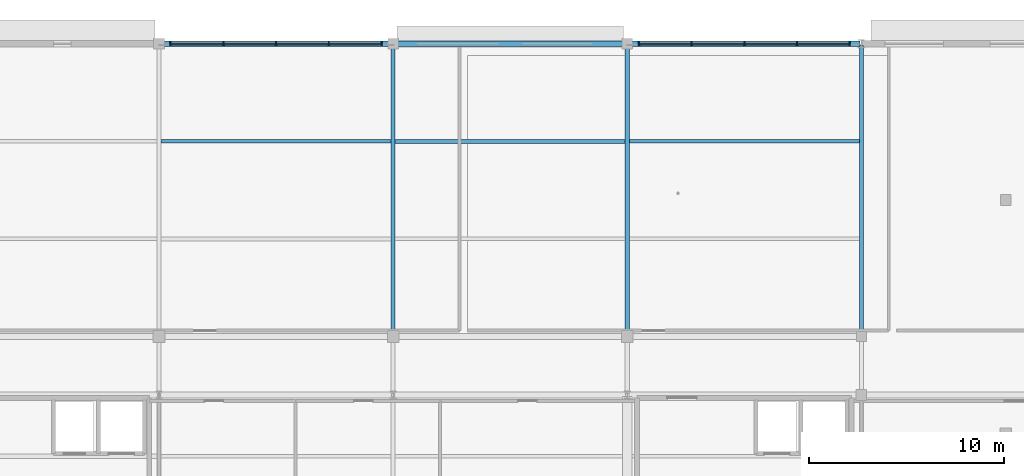
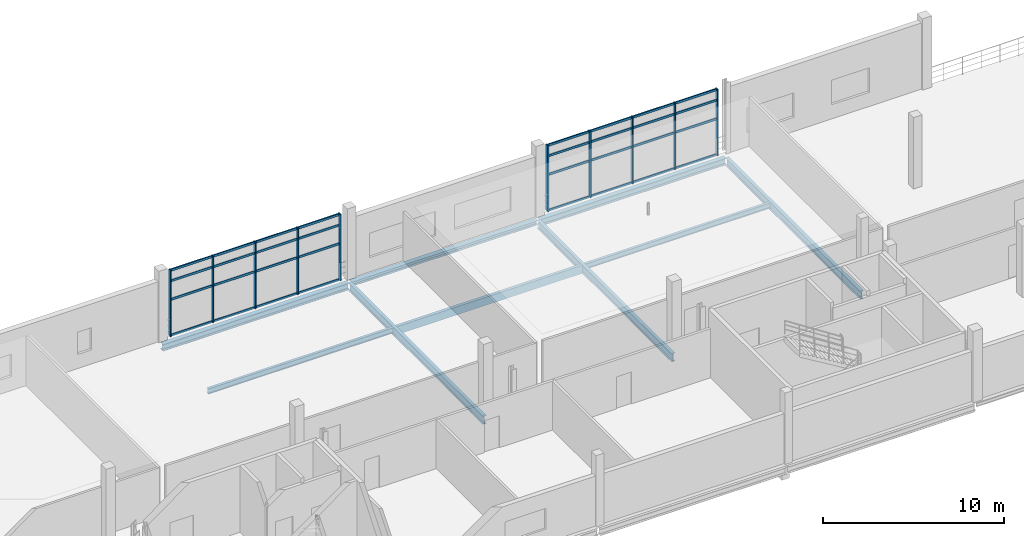
# One storey, part 27 of 52: 42 members, 9 beams, 2 elements without a shape of their own.
"""IFC4 building model written with IfcOpenShell, lengths in metres."""

from ifc_helpers import new_model, si_unit, direction, frame, origin, origin_2d, place, context, subcontext, project, spatial, rectangle, i_section, extrude, material, material_profile, profile_set, type_object, element, aggregate, save


model = new_model("IFC4")

# Units and contexts
model_context = context("Model", 3, precision=1e-05, world=origin(), true_north=direction((0.0, 1.0)))
body_context = subcontext(model_context, "Body", "Model", "MODEL_VIEW")
ifc_project = project(units=[si_unit("LENGTHUNIT", "METRE"), si_unit("AREAUNIT", "SQUARE_METRE"), si_unit("VOLUMEUNIT", "CUBIC_METRE"), si_unit("PLANEANGLEUNIT", "RADIAN"), si_unit("MASSUNIT", "GRAM", prefix="KILO"), si_unit("THERMODYNAMICTEMPERATUREUNIT", "KELVIN"), si_unit("POWERUNIT", "WATT")], contexts=[model_context])

# Site, building, storey
site_placement = place(None, origin())
site = spatial("IfcSite", under=ifc_project, at=site_placement, CompositionType="ELEMENT")
building_placement = place(site_placement, origin())
building = spatial("IfcBuilding", under=site, at=building_placement, Name="Solmara Park Aquatics Centre", CompositionType="ELEMENT")
storey_placement = place(building_placement, frame((0.0, 0.0, 9.60009765625)))
storey = spatial("IfcBuildingStorey", under=building, at=storey_placement, Name="L02", CompositionType="ELEMENT", Elevation=9.60009765625)

# Curtain wall, members
ifc_material_1 = material(Name="Anodised Aluminium Curtain Wall Framing", Category="aluminium")
curtain_wall_type = type_object("IfcCurtainWallType", Name="ARC-CW-SYS04", PredefinedType="USERDEFINED", material=ifc_material_1)
curtain_wall_1_placement = place(storey_placement, origin())
curtain_wall_1 = element("IfcCurtainWall", 1, at=curtain_wall_1_placement, inside=storey, type_object=curtain_wall_type, Name="Curtain Wall CW-125", ObjectType="CURTAIN WALL", PredefinedType="USERDEFINED")
ifc_material_2 = material(Name="Anodised Aluminium Alloy 6063-T6", Category="aluminium")
ifc_material_profile_1 = material_profile(ifc_material_2, rectangle(XDim=0.074951171875, YDim=0.219970703125, at=origin_2d()), Name="ALU MULLION 75x220")
ifc_profile_set_1 = profile_set([ifc_material_profile_1], Name="Anodised Aluminium Alloy 6063-T6")
member_type_1 = type_object("IfcMemberType", Name="ARC-CWM-75x220", PredefinedType="MULLION", material=ifc_profile_set_1)
member_1_placement = place(storey_placement, frame((61.199951171875, 136.0, 0.0), z_axis=(0.0, 0.0, 1.0), x_axis=(1.0, 0.0, 0.0)))
member_1 = element("IfcMember", 2, at=member_1_placement, type_object=member_type_1, Name="CW-125 mullion 1", PredefinedType="MULLION", context=body_context, shape_type="SweptSolid", body=[
    extrude(rectangle(XDim=0.074951171875, YDim=0.219970703125, at=origin_2d()), origin(), (0.0, 0.0, 1.0), 4.449951171875),
])
member_2_placement = place(storey_placement, frame((63.89990234375, 136.0, 0.0), z_axis=(0.0, 0.0, 1.0), x_axis=(1.0, 0.0, 0.0)))
member_2 = element("IfcMember", 3, at=member_2_placement, type_object=member_type_1, Name="CW-125 mullion 2", PredefinedType="MULLION", context=body_context, shape_type="SweptSolid", body=[
    extrude(rectangle(XDim=0.074951171875, YDim=0.219970703125, at=origin_2d()), origin(), (0.0, 0.0, 1.0), 4.449951171875),
])
member_3_placement = place(storey_placement, frame((66.60009765625, 136.0, 0.0), z_axis=(0.0, 0.0, 1.0), x_axis=(1.0, 0.0, 0.0)))
member_3 = element("IfcMember", 4, at=member_3_placement, type_object=member_type_1, Name="CW-125 mullion 3", PredefinedType="MULLION", context=body_context, shape_type="SweptSolid", body=[
    extrude(rectangle(XDim=0.074951171875, YDim=0.219970703125, at=origin_2d()), origin(), (0.0, 0.0, 1.0), 4.449951171875),
])
member_4_placement = place(storey_placement, frame((69.300048828125, 136.0, 0.0), z_axis=(0.0, 0.0, 1.0), x_axis=(1.0, 0.0, 0.0)))
member_4 = element("IfcMember", 5, at=member_4_placement, type_object=member_type_1, Name="CW-125 mullion 4", PredefinedType="MULLION", context=body_context, shape_type="SweptSolid", body=[
    extrude(rectangle(XDim=0.074951171875, YDim=0.219970703125, at=origin_2d()), origin(), (0.0, 0.0, 1.0), 4.449951171875),
])
member_5_placement = place(storey_placement, frame((72.0, 136.0, 0.0), z_axis=(0.0, 0.0, 1.0), x_axis=(1.0, 0.0, 0.0)))
member_5 = element("IfcMember", 6, at=member_5_placement, type_object=member_type_1, Name="CW-125 mullion 5", PredefinedType="MULLION", context=body_context, shape_type="SweptSolid", body=[
    extrude(rectangle(XDim=0.074951171875, YDim=0.219970703125, at=origin_2d()), origin(), (0.0, 0.0, 1.0), 4.449951171875),
])

curtain_wall_2_placement = place(storey_placement, origin())
curtain_wall_2 = element("IfcCurtainWall", 7, at=curtain_wall_2_placement, inside=storey, type_object=curtain_wall_type, Name="Curtain Wall CW-126", ObjectType="CURTAIN WALL", PredefinedType="USERDEFINED")
member_6_placement = place(storey_placement, frame((85.199951171875, 136.0, 0.0), z_axis=(0.0, 0.0, 1.0), x_axis=(1.0, 0.0, 0.0)))
member_6 = element("IfcMember", 8, at=member_6_placement, type_object=member_type_1, Name="CW-126 mullion 1", PredefinedType="MULLION", context=body_context, shape_type="SweptSolid", body=[
    extrude(rectangle(XDim=0.074951171875, YDim=0.219970703125, at=origin_2d()), origin(), (0.0, 0.0, 1.0), 4.449951171875),
])
member_7_placement = place(storey_placement, frame((87.89990234375, 136.0, 0.0), z_axis=(0.0, 0.0, 1.0), x_axis=(1.0, 0.0, 0.0)))
member_7 = element("IfcMember", 9, at=member_7_placement, type_object=member_type_1, Name="CW-126 mullion 2", PredefinedType="MULLION", context=body_context, shape_type="SweptSolid", body=[
    extrude(rectangle(XDim=0.074951171875, YDim=0.219970703125, at=origin_2d()), origin(), (0.0, 0.0, 1.0), 4.449951171875),
])
member_8_placement = place(storey_placement, frame((90.60009765625, 136.0, 0.0), z_axis=(0.0, 0.0, 1.0), x_axis=(1.0, 0.0, 0.0)))
member_8 = element("IfcMember", 10, at=member_8_placement, type_object=member_type_1, Name="CW-126 mullion 3", PredefinedType="MULLION", context=body_context, shape_type="SweptSolid", body=[
    extrude(rectangle(XDim=0.074951171875, YDim=0.219970703125, at=origin_2d()), origin(), (0.0, 0.0, 1.0), 4.449951171875),
])
member_9_placement = place(storey_placement, frame((93.300048828125, 136.0, 0.0), z_axis=(0.0, 0.0, 1.0), x_axis=(1.0, 0.0, 0.0)))
member_9 = element("IfcMember", 11, at=member_9_placement, type_object=member_type_1, Name="CW-126 mullion 4", PredefinedType="MULLION", context=body_context, shape_type="SweptSolid", body=[
    extrude(rectangle(XDim=0.074951171875, YDim=0.219970703125, at=origin_2d()), origin(), (0.0, 0.0, 1.0), 4.449951171875),
])
member_10_placement = place(storey_placement, frame((96.0, 136.0, 0.0), z_axis=(0.0, 0.0, 1.0), x_axis=(1.0, 0.0, 0.0)))
member_10 = element("IfcMember", 12, at=member_10_placement, type_object=member_type_1, Name="CW-126 mullion 5", PredefinedType="MULLION", context=body_context, shape_type="SweptSolid", body=[
    extrude(rectangle(XDim=0.074951171875, YDim=0.219970703125, at=origin_2d()), origin(), (0.0, 0.0, 1.0), 4.449951171875),
])

# Member
ifc_material_profile_2 = material_profile(ifc_material_2, rectangle(XDim=0.074951171875, YDim=0.14990234375, at=origin_2d()), Name="ALU TRANSOM 75x150")
ifc_profile_set_2 = profile_set([ifc_material_profile_2], Name="Anodised Aluminium Alloy 6063-T6")
member_type_2 = type_object("IfcMemberType", Name="ARC-CWT-75x150", PredefinedType="USERDEFINED", material=ifc_profile_set_2)
member_11_placement = place(storey_placement, frame((61.219970703125, 136.0, 0.039794921875), z_axis=(1.0, 0.0, 0.0), x_axis=(0.0, 1.0, 0.0)))
member_11 = element("IfcMember", 13, at=member_11_placement, type_object=member_type_2, Name="CW-125 transom 1", ObjectType="TRANSOM", PredefinedType="USERDEFINED", context=body_context, shape_type="SweptSolid", body=[
    extrude(rectangle(XDim=0.074951171875, YDim=0.14990234375, at=origin_2d()), origin(), (0.0, 0.0, 1.0), 2.6201171875),
])

member_12_placement = place(storey_placement, frame((61.219970703125, 136.0, 2.449951171875), z_axis=(1.0, 0.0, 0.0), x_axis=(0.0, 1.0, 0.0)))
member_12 = element("IfcMember", 14, at=member_12_placement, type_object=member_type_2, Name="CW-125 transom 2", ObjectType="TRANSOM", PredefinedType="USERDEFINED", context=body_context, shape_type="SweptSolid", body=[
    extrude(rectangle(XDim=0.074951171875, YDim=0.14990234375, at=origin_2d()), origin(), (0.0, 0.0, 1.0), 2.6201171875),
])

member_13_placement = place(storey_placement, frame((61.219970703125, 136.0, 3.699951171875), z_axis=(1.0, 0.0, 0.0), x_axis=(0.0, 1.0, 0.0)))
member_13 = element("IfcMember", 15, at=member_13_placement, type_object=member_type_2, Name="CW-125 transom 3", ObjectType="TRANSOM", PredefinedType="USERDEFINED", context=body_context, shape_type="SweptSolid", body=[
    extrude(rectangle(XDim=0.074951171875, YDim=0.14990234375, at=origin_2d()), origin(), (0.0, 0.0, 1.0), 2.6201171875),
])

member_14_placement = place(storey_placement, frame((61.219970703125, 136.0, 4.409912109375), z_axis=(1.0, 0.0, 0.0), x_axis=(0.0, 1.0, 0.0)))
member_14 = element("IfcMember", 16, at=member_14_placement, type_object=member_type_2, Name="CW-125 transom 4", ObjectType="TRANSOM", PredefinedType="USERDEFINED", context=body_context, shape_type="SweptSolid", body=[
    extrude(rectangle(XDim=0.074951171875, YDim=0.14990234375, at=origin_2d()), origin(), (0.0, 0.0, 1.0), 2.6201171875),
])

member_15_placement = place(storey_placement, frame((63.919921875, 136.0, 0.039794921875), z_axis=(1.0, 0.0, 0.0), x_axis=(0.0, 1.0, 0.0)))
member_15 = element("IfcMember", 17, at=member_15_placement, type_object=member_type_2, Name="CW-125 transom 5", ObjectType="TRANSOM", PredefinedType="USERDEFINED", context=body_context, shape_type="SweptSolid", body=[
    extrude(rectangle(XDim=0.074951171875, YDim=0.14990234375, at=origin_2d()), origin(), (0.0, 0.0, 1.0), 2.6201171875),
])

member_16_placement = place(storey_placement, frame((63.919921875, 136.0, 2.449951171875), z_axis=(1.0, 0.0, 0.0), x_axis=(0.0, 1.0, 0.0)))
member_16 = element("IfcMember", 18, at=member_16_placement, type_object=member_type_2, Name="CW-125 transom 6", ObjectType="TRANSOM", PredefinedType="USERDEFINED", context=body_context, shape_type="SweptSolid", body=[
    extrude(rectangle(XDim=0.074951171875, YDim=0.14990234375, at=origin_2d()), origin(), (0.0, 0.0, 1.0), 2.6201171875),
])

member_17_placement = place(storey_placement, frame((63.919921875, 136.0, 3.699951171875), z_axis=(1.0, 0.0, 0.0), x_axis=(0.0, 1.0, 0.0)))
member_17 = element("IfcMember", 19, at=member_17_placement, type_object=member_type_2, Name="CW-125 transom 7", ObjectType="TRANSOM", PredefinedType="USERDEFINED", context=body_context, shape_type="SweptSolid", body=[
    extrude(rectangle(XDim=0.074951171875, YDim=0.14990234375, at=origin_2d()), origin(), (0.0, 0.0, 1.0), 2.6201171875),
])

member_18_placement = place(storey_placement, frame((63.919921875, 136.0, 4.409912109375), z_axis=(1.0, 0.0, 0.0), x_axis=(0.0, 1.0, 0.0)))
member_18 = element("IfcMember", 20, at=member_18_placement, type_object=member_type_2, Name="CW-125 transom 8", ObjectType="TRANSOM", PredefinedType="USERDEFINED", context=body_context, shape_type="SweptSolid", body=[
    extrude(rectangle(XDim=0.074951171875, YDim=0.14990234375, at=origin_2d()), origin(), (0.0, 0.0, 1.0), 2.6201171875),
])

member_19_placement = place(storey_placement, frame((66.6201171875, 136.0, 0.039794921875), z_axis=(1.0, 0.0, 0.0), x_axis=(0.0, 1.0, 0.0)))
member_19 = element("IfcMember", 21, at=member_19_placement, type_object=member_type_2, Name="CW-125 transom 9", ObjectType="TRANSOM", PredefinedType="USERDEFINED", context=body_context, shape_type="SweptSolid", body=[
    extrude(rectangle(XDim=0.074951171875, YDim=0.14990234375, at=origin_2d()), origin(), (0.0, 0.0, 1.0), 2.619873046875),
])

member_20_placement = place(storey_placement, frame((66.6201171875, 136.0, 2.449951171875), z_axis=(1.0, 0.0, 0.0), x_axis=(0.0, 1.0, 0.0)))
member_20 = element("IfcMember", 22, at=member_20_placement, type_object=member_type_2, Name="CW-125 transom 10", ObjectType="TRANSOM", PredefinedType="USERDEFINED", context=body_context, shape_type="SweptSolid", body=[
    extrude(rectangle(XDim=0.074951171875, YDim=0.14990234375, at=origin_2d()), origin(), (0.0, 0.0, 1.0), 2.619873046875),
])

member_21_placement = place(storey_placement, frame((66.6201171875, 136.0, 3.699951171875), z_axis=(1.0, 0.0, 0.0), x_axis=(0.0, 1.0, 0.0)))
member_21 = element("IfcMember", 23, at=member_21_placement, type_object=member_type_2, Name="CW-125 transom 11", ObjectType="TRANSOM", PredefinedType="USERDEFINED", context=body_context, shape_type="SweptSolid", body=[
    extrude(rectangle(XDim=0.074951171875, YDim=0.14990234375, at=origin_2d()), origin(), (0.0, 0.0, 1.0), 2.619873046875),
])

member_22_placement = place(storey_placement, frame((66.6201171875, 136.0, 4.409912109375), z_axis=(1.0, 0.0, 0.0), x_axis=(0.0, 1.0, 0.0)))
member_22 = element("IfcMember", 24, at=member_22_placement, type_object=member_type_2, Name="CW-125 transom 12", ObjectType="TRANSOM", PredefinedType="USERDEFINED", context=body_context, shape_type="SweptSolid", body=[
    extrude(rectangle(XDim=0.074951171875, YDim=0.14990234375, at=origin_2d()), origin(), (0.0, 0.0, 1.0), 2.619873046875),
])

member_23_placement = place(storey_placement, frame((69.320068359375, 136.0, 0.039794921875), z_axis=(1.0, 0.0, 0.0), x_axis=(0.0, 1.0, 0.0)))
member_23 = element("IfcMember", 25, at=member_23_placement, type_object=member_type_2, Name="CW-125 transom 13", ObjectType="TRANSOM", PredefinedType="USERDEFINED", context=body_context, shape_type="SweptSolid", body=[
    extrude(rectangle(XDim=0.074951171875, YDim=0.14990234375, at=origin_2d()), origin(), (0.0, 0.0, 1.0), 2.619873046875),
])

member_24_placement = place(storey_placement, frame((69.320068359375, 136.0, 2.449951171875), z_axis=(1.0, 0.0, 0.0), x_axis=(0.0, 1.0, 0.0)))
member_24 = element("IfcMember", 26, at=member_24_placement, type_object=member_type_2, Name="CW-125 transom 14", ObjectType="TRANSOM", PredefinedType="USERDEFINED", context=body_context, shape_type="SweptSolid", body=[
    extrude(rectangle(XDim=0.074951171875, YDim=0.14990234375, at=origin_2d()), origin(), (0.0, 0.0, 1.0), 2.619873046875),
])

member_25_placement = place(storey_placement, frame((69.320068359375, 136.0, 3.699951171875), z_axis=(1.0, 0.0, 0.0), x_axis=(0.0, 1.0, 0.0)))
member_25 = element("IfcMember", 27, at=member_25_placement, type_object=member_type_2, Name="CW-125 transom 15", ObjectType="TRANSOM", PredefinedType="USERDEFINED", context=body_context, shape_type="SweptSolid", body=[
    extrude(rectangle(XDim=0.074951171875, YDim=0.14990234375, at=origin_2d()), origin(), (0.0, 0.0, 1.0), 2.619873046875),
])

member_26_placement = place(storey_placement, frame((69.320068359375, 136.0, 4.409912109375), z_axis=(1.0, 0.0, 0.0), x_axis=(0.0, 1.0, 0.0)))
member_26 = element("IfcMember", 28, at=member_26_placement, type_object=member_type_2, Name="CW-125 transom 16", ObjectType="TRANSOM", PredefinedType="USERDEFINED", context=body_context, shape_type="SweptSolid", body=[
    extrude(rectangle(XDim=0.074951171875, YDim=0.14990234375, at=origin_2d()), origin(), (0.0, 0.0, 1.0), 2.619873046875),
])

aggregate(curtain_wall_1, [member_1, member_2, member_3, member_4, member_5, member_11, member_12, member_13, member_14, member_15, member_16, member_17, member_18, member_19, member_20, member_21, member_22, member_23, member_24, member_25, member_26])

member_27_placement = place(storey_placement, frame((85.219970703125, 136.0, 0.039794921875), z_axis=(1.0, 0.0, 0.0), x_axis=(0.0, 1.0, 0.0)))
member_27 = element("IfcMember", 29, at=member_27_placement, type_object=member_type_2, Name="CW-126 transom 1", ObjectType="TRANSOM", PredefinedType="USERDEFINED", context=body_context, shape_type="SweptSolid", body=[
    extrude(rectangle(XDim=0.074951171875, YDim=0.14990234375, at=origin_2d()), origin(), (0.0, 0.0, 1.0), 2.6201171875),
])

member_28_placement = place(storey_placement, frame((85.219970703125, 136.0, 2.449951171875), z_axis=(1.0, 0.0, 0.0), x_axis=(0.0, 1.0, 0.0)))
member_28 = element("IfcMember", 30, at=member_28_placement, type_object=member_type_2, Name="CW-126 transom 2", ObjectType="TRANSOM", PredefinedType="USERDEFINED", context=body_context, shape_type="SweptSolid", body=[
    extrude(rectangle(XDim=0.074951171875, YDim=0.14990234375, at=origin_2d()), origin(), (0.0, 0.0, 1.0), 2.6201171875),
])

member_29_placement = place(storey_placement, frame((85.219970703125, 136.0, 3.699951171875), z_axis=(1.0, 0.0, 0.0), x_axis=(0.0, 1.0, 0.0)))
member_29 = element("IfcMember", 31, at=member_29_placement, type_object=member_type_2, Name="CW-126 transom 3", ObjectType="TRANSOM", PredefinedType="USERDEFINED", context=body_context, shape_type="SweptSolid", body=[
    extrude(rectangle(XDim=0.074951171875, YDim=0.14990234375, at=origin_2d()), origin(), (0.0, 0.0, 1.0), 2.6201171875),
])

member_30_placement = place(storey_placement, frame((85.219970703125, 136.0, 4.409912109375), z_axis=(1.0, 0.0, 0.0), x_axis=(0.0, 1.0, 0.0)))
member_30 = element("IfcMember", 32, at=member_30_placement, type_object=member_type_2, Name="CW-126 transom 4", ObjectType="TRANSOM", PredefinedType="USERDEFINED", context=body_context, shape_type="SweptSolid", body=[
    extrude(rectangle(XDim=0.074951171875, YDim=0.14990234375, at=origin_2d()), origin(), (0.0, 0.0, 1.0), 2.6201171875),
])

member_31_placement = place(storey_placement, frame((87.919921875, 136.0, 0.039794921875), z_axis=(1.0, 0.0, 0.0), x_axis=(0.0, 1.0, 0.0)))
member_31 = element("IfcMember", 33, at=member_31_placement, type_object=member_type_2, Name="CW-126 transom 5", ObjectType="TRANSOM", PredefinedType="USERDEFINED", context=body_context, shape_type="SweptSolid", body=[
    extrude(rectangle(XDim=0.074951171875, YDim=0.14990234375, at=origin_2d()), origin(), (0.0, 0.0, 1.0), 2.6201171875),
])

member_32_placement = place(storey_placement, frame((87.919921875, 136.0, 2.449951171875), z_axis=(1.0, 0.0, 0.0), x_axis=(0.0, 1.0, 0.0)))
member_32 = element("IfcMember", 34, at=member_32_placement, type_object=member_type_2, Name="CW-126 transom 6", ObjectType="TRANSOM", PredefinedType="USERDEFINED", context=body_context, shape_type="SweptSolid", body=[
    extrude(rectangle(XDim=0.074951171875, YDim=0.14990234375, at=origin_2d()), origin(), (0.0, 0.0, 1.0), 2.6201171875),
])

member_33_placement = place(storey_placement, frame((87.919921875, 136.0, 3.699951171875), z_axis=(1.0, 0.0, 0.0), x_axis=(0.0, 1.0, 0.0)))
member_33 = element("IfcMember", 35, at=member_33_placement, type_object=member_type_2, Name="CW-126 transom 7", ObjectType="TRANSOM", PredefinedType="USERDEFINED", context=body_context, shape_type="SweptSolid", body=[
    extrude(rectangle(XDim=0.074951171875, YDim=0.14990234375, at=origin_2d()), origin(), (0.0, 0.0, 1.0), 2.6201171875),
])

member_34_placement = place(storey_placement, frame((87.919921875, 136.0, 4.409912109375), z_axis=(1.0, 0.0, 0.0), x_axis=(0.0, 1.0, 0.0)))
member_34 = element("IfcMember", 36, at=member_34_placement, type_object=member_type_2, Name="CW-126 transom 8", ObjectType="TRANSOM", PredefinedType="USERDEFINED", context=body_context, shape_type="SweptSolid", body=[
    extrude(rectangle(XDim=0.074951171875, YDim=0.14990234375, at=origin_2d()), origin(), (0.0, 0.0, 1.0), 2.6201171875),
])

member_35_placement = place(storey_placement, frame((90.6201171875, 136.0, 0.039794921875), z_axis=(1.0, 0.0, 0.0), x_axis=(0.0, 1.0, 0.0)))
member_35 = element("IfcMember", 37, at=member_35_placement, type_object=member_type_2, Name="CW-126 transom 9", ObjectType="TRANSOM", PredefinedType="USERDEFINED", context=body_context, shape_type="SweptSolid", body=[
    extrude(rectangle(XDim=0.074951171875, YDim=0.14990234375, at=origin_2d()), origin(), (0.0, 0.0, 1.0), 2.619873046875),
])

member_36_placement = place(storey_placement, frame((90.6201171875, 136.0, 2.449951171875), z_axis=(1.0, 0.0, 0.0), x_axis=(0.0, 1.0, 0.0)))
member_36 = element("IfcMember", 38, at=member_36_placement, type_object=member_type_2, Name="CW-126 transom 10", ObjectType="TRANSOM", PredefinedType="USERDEFINED", context=body_context, shape_type="SweptSolid", body=[
    extrude(rectangle(XDim=0.074951171875, YDim=0.14990234375, at=origin_2d()), origin(), (0.0, 0.0, 1.0), 2.619873046875),
])

member_37_placement = place(storey_placement, frame((90.6201171875, 136.0, 3.699951171875), z_axis=(1.0, 0.0, 0.0), x_axis=(0.0, 1.0, 0.0)))
member_37 = element("IfcMember", 39, at=member_37_placement, type_object=member_type_2, Name="CW-126 transom 11", ObjectType="TRANSOM", PredefinedType="USERDEFINED", context=body_context, shape_type="SweptSolid", body=[
    extrude(rectangle(XDim=0.074951171875, YDim=0.14990234375, at=origin_2d()), origin(), (0.0, 0.0, 1.0), 2.619873046875),
])

member_38_placement = place(storey_placement, frame((90.6201171875, 136.0, 4.409912109375), z_axis=(1.0, 0.0, 0.0), x_axis=(0.0, 1.0, 0.0)))
member_38 = element("IfcMember", 40, at=member_38_placement, type_object=member_type_2, Name="CW-126 transom 12", ObjectType="TRANSOM", PredefinedType="USERDEFINED", context=body_context, shape_type="SweptSolid", body=[
    extrude(rectangle(XDim=0.074951171875, YDim=0.14990234375, at=origin_2d()), origin(), (0.0, 0.0, 1.0), 2.619873046875),
])

member_39_placement = place(storey_placement, frame((93.320068359375, 136.0, 0.039794921875), z_axis=(1.0, 0.0, 0.0), x_axis=(0.0, 1.0, 0.0)))
member_39 = element("IfcMember", 41, at=member_39_placement, type_object=member_type_2, Name="CW-126 transom 13", ObjectType="TRANSOM", PredefinedType="USERDEFINED", context=body_context, shape_type="SweptSolid", body=[
    extrude(rectangle(XDim=0.074951171875, YDim=0.14990234375, at=origin_2d()), origin(), (0.0, 0.0, 1.0), 2.619873046875),
])

member_40_placement = place(storey_placement, frame((93.320068359375, 136.0, 2.449951171875), z_axis=(1.0, 0.0, 0.0), x_axis=(0.0, 1.0, 0.0)))
member_40 = element("IfcMember", 42, at=member_40_placement, type_object=member_type_2, Name="CW-126 transom 14", ObjectType="TRANSOM", PredefinedType="USERDEFINED", context=body_context, shape_type="SweptSolid", body=[
    extrude(rectangle(XDim=0.074951171875, YDim=0.14990234375, at=origin_2d()), origin(), (0.0, 0.0, 1.0), 2.619873046875),
])

member_41_placement = place(storey_placement, frame((93.320068359375, 136.0, 3.699951171875), z_axis=(1.0, 0.0, 0.0), x_axis=(0.0, 1.0, 0.0)))
member_41 = element("IfcMember", 43, at=member_41_placement, type_object=member_type_2, Name="CW-126 transom 15", ObjectType="TRANSOM", PredefinedType="USERDEFINED", context=body_context, shape_type="SweptSolid", body=[
    extrude(rectangle(XDim=0.074951171875, YDim=0.14990234375, at=origin_2d()), origin(), (0.0, 0.0, 1.0), 2.619873046875),
])

member_42_placement = place(storey_placement, frame((93.320068359375, 136.0, 4.409912109375), z_axis=(1.0, 0.0, 0.0), x_axis=(0.0, 1.0, 0.0)))
member_42 = element("IfcMember", 44, at=member_42_placement, type_object=member_type_2, Name="CW-126 transom 16", ObjectType="TRANSOM", PredefinedType="USERDEFINED", context=body_context, shape_type="SweptSolid", body=[
    extrude(rectangle(XDim=0.074951171875, YDim=0.14990234375, at=origin_2d()), origin(), (0.0, 0.0, 1.0), 2.619873046875),
])

aggregate(curtain_wall_2, [member_6, member_7, member_8, member_9, member_10, member_27, member_28, member_29, member_30, member_31, member_32, member_33, member_34, member_35, member_36, member_37, member_38, member_39, member_40, member_41, member_42])

# Beams
ifc_material_3 = material(Name="Structural Steel S355", Category="steel")
ifc_material_profile_3 = material_profile(ifc_material_3, i_section(OverallWidth=0.300048828125, OverallDepth=0.449951171875, WebThickness=0.013916015625, FlangeThickness=0.02587890625, FilletRadius=0.027099609375, at=origin_2d()), Name="HEB 450")
ifc_profile_set_3 = profile_set([ifc_material_profile_3], Name="Structural Steel S355")
beam_type_1 = type_object("IfcBeamType", Name="STR-BM-HEB450", PredefinedType="BEAM", material=ifc_profile_set_3)
for number, where, z_axis, x_axis, name in (
    (45, (60.679931640625, 136.0, -0.545166015625), (1.0, 0.0, 0.0), (0.0, 1.0, 0.0), "Girder BM-L02-0407"),
    (46, (84.679931640625, 136.0, -0.545166015625), (1.0, 0.0, 0.0), (0.0, 1.0, 0.0), "Girder BM-L02-0409"),
):
    element("IfcBeam", number, at=place(storey_placement, frame(where, z_axis=z_axis, x_axis=x_axis)), inside=storey, type_object=beam_type_1, Name=name, PredefinedType="BEAM", context=body_context, shape_type="SweptSolid", body=[
        extrude(i_section(OverallWidth=0.300048828125, OverallDepth=0.449951171875, WebThickness=0.013916015625, FlangeThickness=0.02587890625, FilletRadius=0.027099609375, at=origin_2d()), origin(), (0.0, 0.0, 1.0), 11.840087890625),
    ])
ifc_material_profile_4 = material_profile(ifc_material_3, i_section(OverallWidth=0.2099609375, OverallDepth=0.550048828125, WebThickness=0.010986328125, FlangeThickness=0.01708984375, FilletRadius=0.02392578125, at=origin_2d()), Name="IPE 550")
ifc_profile_set_4 = profile_set([ifc_material_profile_4], Name="Structural Steel S355")
beam_type_2 = type_object("IfcBeamType", Name="STR-BM-IPE550", PredefinedType="BEAM", material=ifc_profile_set_4)
for number, where, z_axis, x_axis, name in (
    (47, (72.60009765625, 121.080078125, -0.59521484375), (0.0, 1.0, 0.0), (-1.0, 0.0, 0.0), "Girder BM-L02-0426"),
    (48, (84.60009765625, 121.080078125, -0.59521484375), (0.0, 1.0, 0.0), (-1.0, 0.0, 0.0), "Girder BM-L02-0429"),
    (49, (96.60009765625, 121.080078125, -0.59521484375), (0.0, 1.0, 0.0), (-1.0, 0.0, 0.0), "Girder BM-L02-0432"),
):
    element("IfcBeam", number, at=place(storey_placement, frame(where, z_axis=z_axis, x_axis=x_axis)), inside=storey, type_object=beam_type_2, Name=name, PredefinedType="BEAM", context=body_context, shape_type="SweptSolid", body=[
        extrude(i_section(OverallWidth=0.2099609375, OverallDepth=0.550048828125, WebThickness=0.010986328125, FlangeThickness=0.01708984375, FilletRadius=0.02392578125, at=origin_2d()), origin(), (0.0, 0.0, 1.0), 14.83984375),
    ])
ifc_material_4 = material(Name="Glulam Timber GL28h", Category="wood")
ifc_material_profile_5 = material_profile(ifc_material_4, rectangle(XDim=0.199951171875, YDim=0.5400390625, at=origin_2d()), Name="GL28h 200x540")
ifc_profile_set_5 = profile_set([ifc_material_profile_5], Name="Glulam Timber GL28h")
beam_type_3 = type_object("IfcBeamType", Name="STR-JST-GL200x540", PredefinedType="JOIST", material=ifc_profile_set_5)
beam_1_placement = place(storey_placement, frame((72.705078125, 131.0, -0.590087890625), z_axis=(1.0, 0.0, 0.0), x_axis=(0.0, 1.0, 0.0)))
element("IfcBeam", 50, at=beam_1_placement, inside=storey, type_object=beam_type_3, Name="Floor Joist JST-L02-0234", PredefinedType="JOIST", context=body_context, shape_type="SweptSolid", body=[
    extrude(rectangle(XDim=0.199951171875, YDim=0.5400390625, at=origin_2d()), origin(), (0.0, 0.0, 1.0), 11.7900390625),
])
ifc_material_profile_6 = material_profile(ifc_material_3, i_section(OverallWidth=0.169921875, OverallDepth=0.360107421875, WebThickness=0.008056640625, FlangeThickness=0.0126953125, FilletRadius=0.01806640625, at=origin_2d()), Name="IPE 360")
ifc_profile_set_6 = profile_set([ifc_material_profile_6], Name="Structural Steel S355")
beam_type_4 = type_object("IfcBeamType", Name="STR-JST-IPE360", PredefinedType="JOIST", material=ifc_profile_set_6)
for number, where, z_axis, x_axis, name in (
    (51, (60.705078125, 131.0, -0.5), (1.0, 0.0, 0.0), (0.0, 1.0, 0.0), "Floor Joist JST-L02-0230"),
    (52, (84.705078125, 131.0, -0.5), (1.0, 0.0, 0.0), (0.0, 1.0, 0.0), "Floor Joist JST-L02-0237"),
):
    element("IfcBeam", number, at=place(storey_placement, frame(where, z_axis=z_axis, x_axis=x_axis)), inside=storey, type_object=beam_type_4, Name=name, PredefinedType="JOIST", context=body_context, shape_type="SweptSolid", body=[
        extrude(i_section(OverallWidth=0.169921875, OverallDepth=0.360107421875, WebThickness=0.008056640625, FlangeThickness=0.0126953125, FilletRadius=0.01806640625, at=origin_2d()), origin(), (0.0, 0.0, 1.0), 11.7900390625),
    ])
ifc_material_profile_7 = material_profile(ifc_material_3, i_section(OverallWidth=0.300048828125, OverallDepth=0.2900390625, WebThickness=0.008544921875, FlangeThickness=0.013916015625, FilletRadius=0.027099609375, at=origin_2d()), Name="HEA 300")
ifc_profile_set_7 = profile_set([ifc_material_profile_7], Name="Structural Steel S355")
beam_type_5 = type_object("IfcBeamType", Name="STR-SPD-HEA300", PredefinedType="SPANDREL", material=ifc_profile_set_7)
beam_2_placement = place(storey_placement, frame((72.679931640625, 136.0, -0.465087890625), z_axis=(1.0, 0.0, 0.0), x_axis=(0.0, 1.0, 0.0)))
element("IfcBeam", 53, at=beam_2_placement, inside=storey, type_object=beam_type_5, Name="Girder BM-L02-0408", PredefinedType="SPANDREL", context=body_context, shape_type="SweptSolid", body=[
    extrude(i_section(OverallWidth=0.300048828125, OverallDepth=0.2900390625, WebThickness=0.008544921875, FlangeThickness=0.013916015625, FilletRadius=0.027099609375, at=origin_2d()), origin(), (0.0, 0.0, 1.0), 11.840087890625),
])

save(model, "model.ifc")
